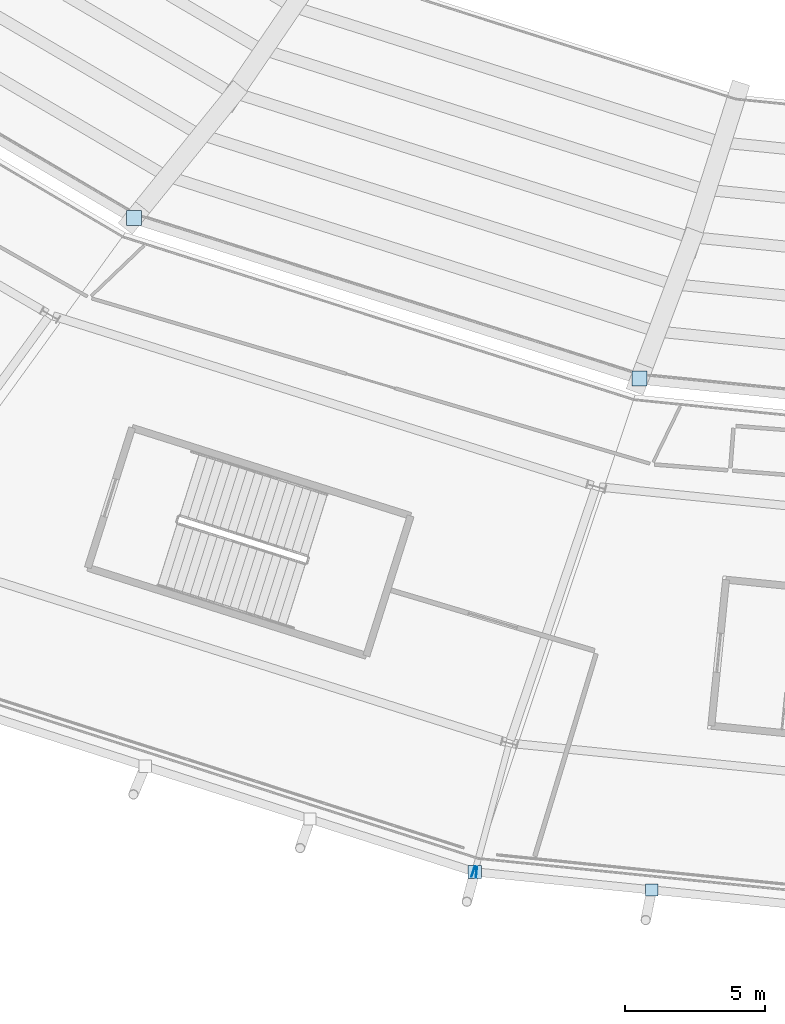
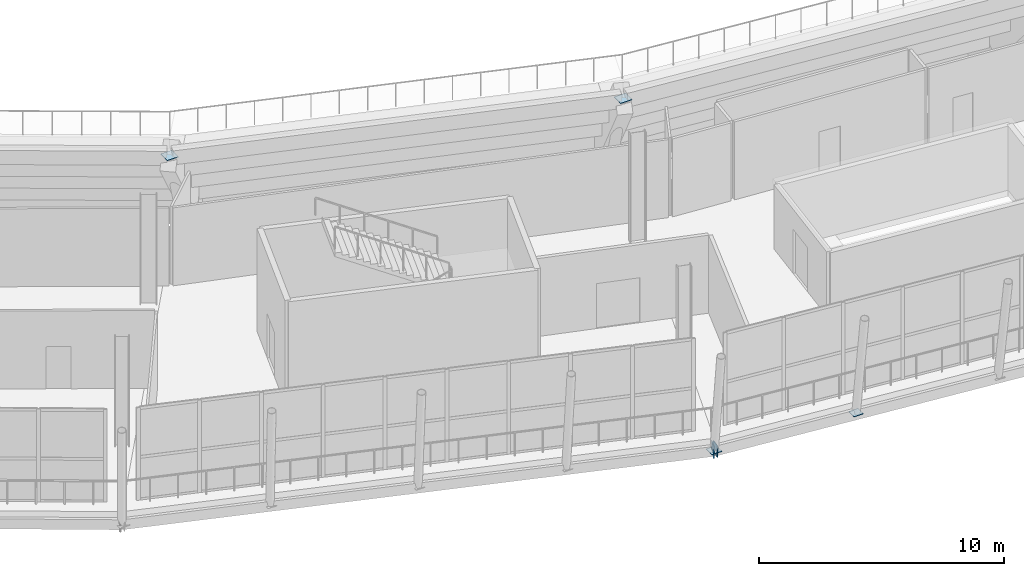
# One storey, part 77 of 126: 6 plates.
"""IFC4 building model written with IfcOpenShell, lengths in metres."""

from ifc_helpers import new_model, si_unit, direction, frame, origin, origin_2d, place, context, subcontext, project, spatial, rectangle, extrude, material, layer, layer_set, type_object, element, save


model = new_model("IFC4")

# Units and contexts
model_context = context("Model", 3, precision=1e-05, world=origin(), true_north=direction((0.0, 1.0)))
body_context = subcontext(model_context, "Body", "Model", "MODEL_VIEW")
ifc_project = project(units=[si_unit("LENGTHUNIT", "METRE"), si_unit("AREAUNIT", "SQUARE_METRE"), si_unit("VOLUMEUNIT", "CUBIC_METRE"), si_unit("PLANEANGLEUNIT", "RADIAN"), si_unit("MASSUNIT", "GRAM", prefix="KILO")], contexts=[model_context])

# Site, building, storey
site_placement = place(None, origin())
site = spatial("IfcSite", under=ifc_project, at=site_placement, CompositionType="ELEMENT")
building_placement = place(site_placement, origin())
building = spatial("IfcBuilding", under=site, at=building_placement, Name="Zlatoyarsky Gate Stadium", CompositionType="ELEMENT")
storey_placement = place(building_placement, frame((0.0, 0.0, 20.800048828125)))
storey = spatial("IfcBuildingStorey", under=building, at=storey_placement, Name="L04", CompositionType="ELEMENT", Elevation=20.800048828125)

# Plates
ifc_material = material(Name="Steel S355", Category="steel")
ifc_layer = layer(ifc_material, 0.02392578125)
ifc_layer_set = layer_set([ifc_layer], Name="Steel S355")
plate_type = type_object("IfcPlateType", Name="STEEL HOLLOW CHORD SPLICE SHEET 24", PredefinedType="SHEET", material=ifc_layer_set)
for number, where, z_axis, x_axis, name in (
    (1, (85.63818359375, 6.83056640625, -0.85009765625), (0.0, 0.0, 1.0), (0.952145539472, -0.305645009225, 0.0), "Hollow end cap ND-SP1 CAP-L04-SPD-16 B"),
    (2, (85.755126953125, 6.80615234375, -0.85009765625), (0.0, 0.0, 1.0), (0.994835341665, -0.101501935813, 0.0), "Hollow end cap ND-SP1 CAP-L04-SPD-17 A"),
):
    element("IfcPlate", number, at=place(storey_placement, frame(where, z_axis=z_axis, x_axis=x_axis)), inside=storey, type_object=plate_type, Name=name, PredefinedType="SHEET", context=body_context, shape_type="SweptSolid", body=[
        extrude(rectangle(XDim=0.02392578125, YDim=0.39990234375, at=origin_2d()), origin(), (0.0, 0.0, 1.0), 0.60009765625),
    ])
plate_1_placement = place(storey_placement, frame((85.6953125, 6.812255859375, -0.612060546875), z_axis=(0.0, 0.0, 1.0), x_axis=(1.0, 0.0, 0.0)))
element("IfcPlate", 3, at=plate_1_placement, inside=storey, type_object=plate_type, Name="Node closure plate ND-SP1 NCAP-L04-RSTR-17", PredefinedType="SHEET", context=body_context, shape_type="SweptSolid", body=[
    extrude(rectangle(XDim=0.47998046875, YDim=0.47998046875, at=origin_2d()), origin(), (0.0, 0.0, 1.0), 0.02392578125),
])
for number, where, z_axis, x_axis, name in (
    (4, (73.5, 30.20361328125, 4.177978515625), (0.0, 0.0, 1.0), (1.0, 0.0, 0.0), "Node closure plate ND-SP1 NCAP-UTOP-16"),
    (5, (91.588623046875, 24.459228515625, 4.177978515625), (0.0, 0.0, 1.0), (1.0, 0.0, 0.0), "Node closure plate ND-SP1 NCAP-UTOP-17"),
):
    element("IfcPlate", number, at=place(storey_placement, frame(where, z_axis=z_axis, x_axis=x_axis)), inside=storey, type_object=plate_type, Name=name, PredefinedType="SHEET", context=body_context, shape_type="SweptSolid", body=[
        extrude(rectangle(XDim=0.5400390625, YDim=0.5400390625, at=origin_2d()), origin(), (0.0, 0.0, 1.0), 0.02392578125),
    ])
plate_2_placement = place(storey_placement, frame((92.021484375, 6.166748046875, -0.56201171875), z_axis=(0.0, 0.0, 1.0), x_axis=(1.0, 0.0, 0.0)))
element("IfcPlate", 6, at=plate_2_placement, inside=storey, type_object=plate_type, Name="Node closure plate ND-SP1 NCAP-RIB-17-1-2T", PredefinedType="SHEET", context=body_context, shape_type="SweptSolid", body=[
    extrude(rectangle(XDim=0.43994140625, YDim=0.43994140625, at=origin_2d()), origin(), (0.0, 0.0, 1.0), 0.02392578125),
])

save(model, "model.ifc")
